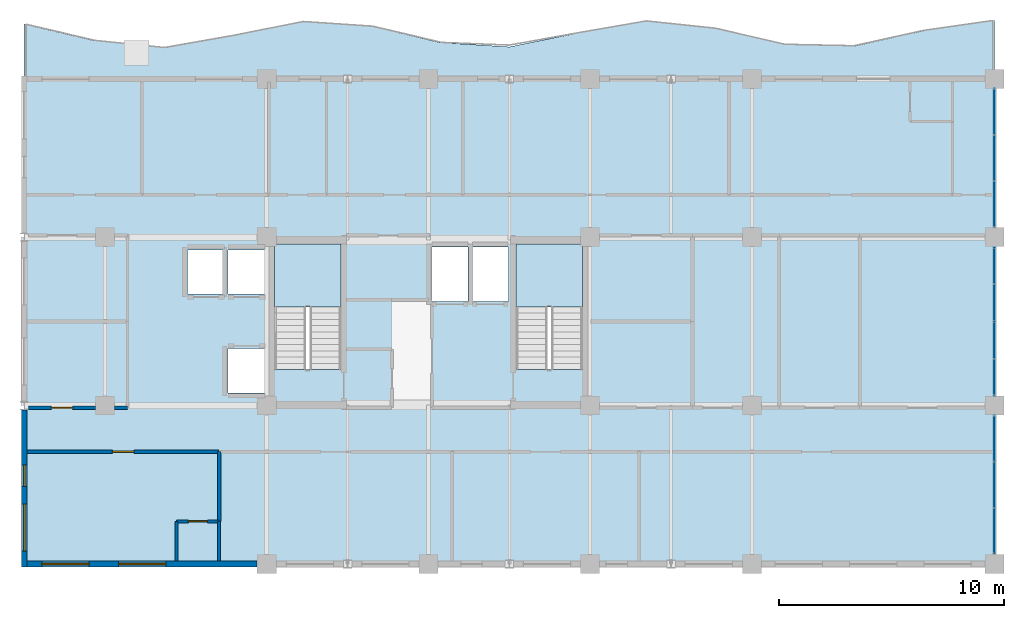
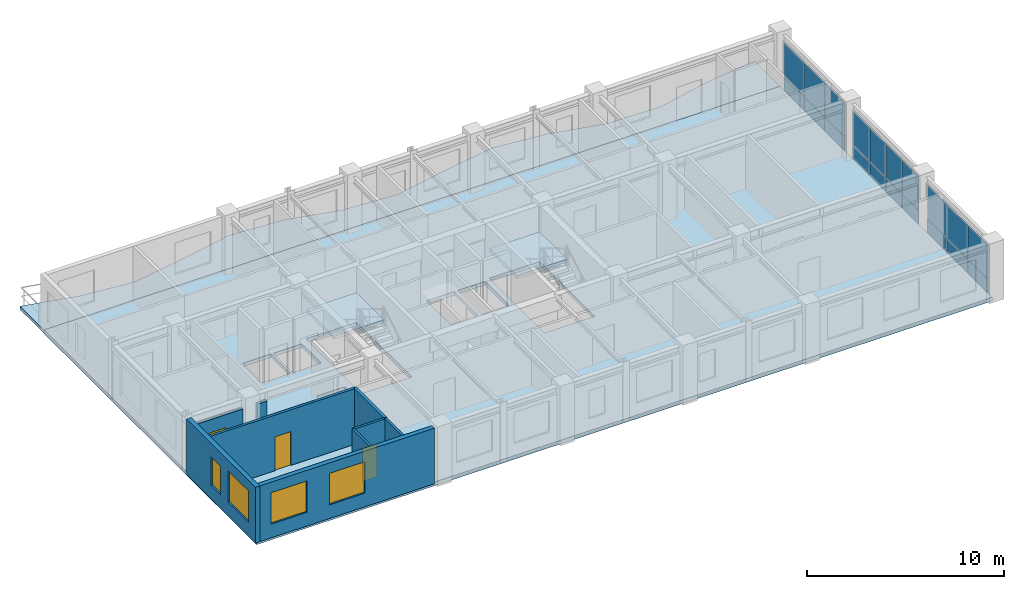
# One storey, part 5 of 11: 20 plates, 9 walls, 4 slabs, 4 windows, 3 doors, 7 openings, 5 elements without a shape of their own.
"""IFC4 building model written with IfcOpenShell, lengths in metres."""

from ifc_helpers import new_model, si_unit, direction, frame, frame_2d, origin, origin_2d, place, context, subcontext, project, spatial, polyline, rectangle, outline, extrude, source, transform, mapped, material, layer, layer_set, type_object, element, fill, aggregate, save


model = new_model("IFC4")

# Units and contexts
model_context = context("Model", 3, precision=1e-05, world=origin(), true_north=direction((0.0, 1.0)))
body_context = subcontext(model_context, "Body", "Model", "MODEL_VIEW")
ifc_project = project(units=[si_unit("LENGTHUNIT", "METRE"), si_unit("AREAUNIT", "SQUARE_METRE"), si_unit("VOLUMEUNIT", "CUBIC_METRE"), si_unit("PLANEANGLEUNIT", "RADIAN"), si_unit("MASSUNIT", "GRAM", prefix="KILO")], contexts=[model_context])

# Site, building, storey
site_placement = place(None, origin())
site = spatial("IfcSite", under=ifc_project, at=site_placement, CompositionType="ELEMENT")
building_placement = place(site_placement, origin())
building = spatial("IfcBuilding", under=site, at=building_placement, Name="Kaliganga Portal Commons", CompositionType="ELEMENT")
storey_placement = place(building_placement, frame((0.0, 0.0, 261.0)))
storey = spatial("IfcBuildingStorey", under=building, at=storey_placement, Name="L67", CompositionType="ELEMENT", Elevation=261.0)

# Slab
ifc_material_1 = material(Name="Concrete C40/50", Category="concrete")
ifc_layer_1 = layer(ifc_material_1, 0.2099609375)
ifc_layer_set_1 = layer_set([ifc_layer_1], Name="Concrete C40/50")
slab_type_1 = type_object("IfcSlabType", Name="SLB-BALC-210", PredefinedType="FLOOR", material=ifc_layer_set_1)
slab_1_placement = place(storey_placement, frame((0.0, 0.0, -0.2099609375)))
element("IfcSlab", 1, at=slab_1_placement, inside=storey, type_object=slab_type_1, Name="Scalloped Tree-Planter Balcony Slab L67 balc_north", PredefinedType="FLOOR", context=body_context, shape_type="SweptSolid", body=[
    extrude(outline(polyline([(46.800048828125, 43.199951171875), (46.800048828125, 45.800048828125), (43.71435546875, 45.3583984375), (40.628662109375, 44.673828125), (37.54296875, 44.739501953125), (34.45703125, 45.460205078125), (31.371337890625, 45.790283203125), (28.28564453125, 45.2509765625), (25.199951171875, 44.624755859375), (22.1142578125, 44.81982421875), (19.028564453125, 45.553466796875), (15.94287109375, 45.76123046875), (12.857177734375, 45.141845703125), (9.771484375, 44.59375), (6.685791015625, 44.912109375), (3.60009765625, 45.635009765625), (3.60009765625, 43.199951171875), (46.800048828125, 43.199951171875)])), origin(), (0.0, 0.0, 1.0), 0.2099609375),
])

# Stair, slab
stair_type = type_object("IfcStairType", Name="ST-CORE-DOGLEG", PredefinedType="HALF_TURN_STAIR", material=ifc_material_1)
stair_1_placement = place(storey_placement, origin())
stair_1 = element("IfcStair", 2, at=stair_1_placement, inside=storey, type_object=stair_type, Name="L67 Protected Exit Stair ST-A1", PredefinedType="HALF_TURN_STAIR")
ifc_layer_2 = layer(ifc_material_1, 0.199951171875)
ifc_layer_set_2 = layer_set([ifc_layer_2], Name="Concrete C40/50")
slab_type_2 = type_object("IfcSlabType", Name="SLB-STAIR-LND", PredefinedType="LANDING", material=ifc_layer_set_2)
slab_2_placement = place(storey_placement, frame((0.0, 0.0, 1.64990234375)))
slab_2 = element("IfcSlab", 3, at=slab_2_placement, type_object=slab_type_2, Name="ST-A1 landing 1", PredefinedType="LANDING", context=body_context, shape_type="SweptSolid", body=[
    extrude(outline(polyline([(17.699951171875, 33.050048828125), (17.699951171875, 35.85009765625), (14.75, 35.85009765625), (14.75, 33.050048828125), (17.699951171875, 33.050048828125)])), origin(), (0.0, 0.0, 1.0), 0.2001953125),
])
aggregate(stair_1, [slab_2])

stair_2_placement = place(storey_placement, origin())
stair_2 = element("IfcStair", 4, at=stair_2_placement, inside=storey, type_object=stair_type, Name="L67 Protected Exit Stair ST-A2", PredefinedType="HALF_TURN_STAIR")
slab_3_placement = place(storey_placement, frame((0.0, 0.0, 1.64990234375)))
slab_3 = element("IfcSlab", 5, at=slab_3_placement, type_object=slab_type_2, Name="ST-A2 landing 1", PredefinedType="LANDING", context=body_context, shape_type="SweptSolid", body=[
    extrude(outline(polyline([(28.449951171875, 33.050048828125), (28.449951171875, 35.85009765625), (25.5, 35.85009765625), (25.5, 33.050048828125), (28.449951171875, 33.050048828125)])), origin(), (0.0, 0.0, 1.0), 0.2001953125),
])
aggregate(stair_2, [slab_3])

# Slab
ifc_layer_3 = layer(ifc_material_1, 0.22509765625)
ifc_layer_set_3 = layer_set([ifc_layer_3], Name="Concrete C40/50")
slab_type_3 = type_object("IfcSlabType", Name="SLB-TWR-220", PredefinedType="FLOOR", material=ifc_layer_set_3)
slab_4_placement = place(storey_placement, frame((0.0, 0.0, -0.22509765625)))
element("IfcSlab", 6, at=slab_4_placement, inside=storey, type_object=slab_type_3, Name="Structural Floor Slab L67", PredefinedType="FLOOR", context=body_context, shape_type="SweptSolid", body=[
    extrude(outline(polyline([(3.60009765625, 21.60009765625), (46.800048828125, 21.60009765625), (46.800048828125, 43.199951171875), (3.60009765625, 43.199951171875), (3.60009765625, 21.60009765625)]), holes=[polyline([(14.75, 30.25390625), (14.75, 35.85009765625), (17.699951171875, 35.85009765625), (17.699951171875, 30.25390625), (14.75, 30.25390625)]), polyline([(25.5, 30.25390625), (25.5, 35.85009765625), (28.449951171875, 35.85009765625), (28.449951171875, 30.25390625), (25.5, 30.25390625)]), polyline([(12.6650390625, 33.614990234375), (12.6650390625, 35.5849609375), (14.3349609375, 35.5849609375), (14.3349609375, 33.614990234375), (12.6650390625, 33.614990234375)]), polyline([(12.6650390625, 29.215087890625), (12.6650390625, 31.18505859375), (14.3349609375, 31.18505859375), (14.3349609375, 29.215087890625), (12.6650390625, 29.215087890625)]), polyline([(10.864990234375, 33.614990234375), (10.864990234375, 35.5849609375), (12.534912109375, 35.5849609375), (12.534912109375, 33.614990234375), (10.864990234375, 33.614990234375)]), polyline([(21.739990234375, 33.2900390625), (21.739990234375, 35.7099609375), (23.360107421875, 35.7099609375), (23.360107421875, 33.2900390625), (21.739990234375, 33.2900390625)]), polyline([(23.5400390625, 33.2900390625), (23.5400390625, 35.7099609375), (25.159912109375, 35.7099609375), (25.159912109375, 33.2900390625), (23.5400390625, 33.2900390625)])]), origin(), (0.0, 0.0, 1.0), 0.22509765625),
])

# Curtain wall, plates
ifc_material_2 = material(Name="Anodized Aluminium and Laminated Low-E Glass", Category="aluminium")
ifc_layer_4 = layer(ifc_material_2, 0.18994140625)
ifc_layer_set_4 = layer_set([ifc_layer_4], Name="Anodized Aluminium and Laminated Low-E Glass")
curtain_wall_type = type_object("IfcCurtainWallType", Name="CW-SYS-05", PredefinedType="NOTDEFINED", material=ifc_layer_set_4)
curtain_wall_1_placement = place(storey_placement, origin())
curtain_wall_1 = element("IfcCurtainWall", 7, at=curtain_wall_1_placement, inside=storey, type_object=curtain_wall_type, Name="CW 05 L67 P1E01S1", PredefinedType="NOTDEFINED")
ifc_material_3 = material(Name="Insulated Dark Spandrel Panel", Category="metal")
ifc_layer_5 = layer(ifc_material_3, 0.044921875)
ifc_layer_set_5 = layer_set([ifc_layer_5], Name="Insulated Dark Spandrel Panel")
plate_type_1 = type_object("IfcPlateType", Name="PLT-SPN-45", PredefinedType="SHEET", material=ifc_layer_set_5)
shared_shape_1 = source(origin(), body_context, "Body", "SweptSolid", [
    extrude(rectangle(XDim=2.02587890625, YDim=0.044921875, at=origin_2d()), origin(), (0.0, 0.0, 1.0), 0.841064453125),
])
plate_1_placement = place(storey_placement, frame((46.800048828125, 23.05908203125, 0.009765625), z_axis=(0.0, 0.0, 1.0), x_axis=(0.0, 1.0, 0.0)))
plate_1 = element("IfcPlate", 8, at=plate_1_placement, type_object=plate_type_1, Name="CW:05:L67:P1E01S1 Spandrel 00", PredefinedType="SHEET", context=body_context, shape_type="MappedRepresentation", body=[
    mapped(shared_shape_1, transform((0.0, 0.0, 0.0), x_axis=(1.0, 0.0, 0.0), y_axis=(0.0, 1.0, 0.0), z_axis=(0.0, 0.0, 1.0), scale=1.0)),
])
plate_2_placement = place(storey_placement, frame((46.800048828125, 25.125, 0.009765625), z_axis=(0.0, 0.0, 1.0), x_axis=(0.0, 1.0, 0.0)))
plate_2 = element("IfcPlate", 9, at=plate_2_placement, type_object=plate_type_1, Name="CW:05:L67:P1E01S1 Spandrel 01", PredefinedType="SHEET", context=body_context, shape_type="MappedRepresentation", body=[
    mapped(shared_shape_1, transform((0.0, 0.0, 0.0), x_axis=(1.0, 0.0, 0.0), y_axis=(0.0, 1.0, 0.0), z_axis=(0.0, 0.0, 1.0), scale=1.0)),
])
plate_3_placement = place(storey_placement, frame((46.800048828125, 27.19091796875, 0.009765625), z_axis=(0.0, 0.0, 1.0), x_axis=(0.0, 1.0, 0.0)))
plate_3 = element("IfcPlate", 10, at=plate_3_placement, type_object=plate_type_1, Name="CW:05:L67:P1E01S1 Spandrel 02", PredefinedType="SHEET", context=body_context, shape_type="MappedRepresentation", body=[
    mapped(shared_shape_1, transform((0.0, 0.0, 0.0), x_axis=(1.0, 0.0, 0.0), y_axis=(0.0, 1.0, 0.0), z_axis=(0.0, 0.0, 1.0), scale=1.0)),
])

curtain_wall_2_placement = place(storey_placement, origin())
curtain_wall_2 = element("IfcCurtainWall", 11, at=curtain_wall_2_placement, inside=storey, type_object=curtain_wall_type, Name="CW 05 L67 P1E01S3", PredefinedType="NOTDEFINED")
plate_4_placement = place(storey_placement, frame((46.800048828125, 37.60888671875, 0.009765625), z_axis=(0.0, 0.0, 1.0), x_axis=(0.0, 1.0, 0.0)))
plate_4 = element("IfcPlate", 12, at=plate_4_placement, type_object=plate_type_1, Name="CW:05:L67:P1E01S3 Spandrel 00", PredefinedType="SHEET", context=body_context, shape_type="MappedRepresentation", body=[
    mapped(shared_shape_1, transform((0.0, 0.0, 0.0), x_axis=(1.0, 0.0, 0.0), y_axis=(0.0, 1.0, 0.0), z_axis=(0.0, 0.0, 1.0), scale=1.0)),
])
plate_5_placement = place(storey_placement, frame((46.800048828125, 39.675048828125, 0.009765625), z_axis=(0.0, 0.0, 1.0), x_axis=(0.0, 1.0, 0.0)))
plate_5 = element("IfcPlate", 13, at=plate_5_placement, type_object=plate_type_1, Name="CW:05:L67:P1E01S3 Spandrel 01", PredefinedType="SHEET", context=body_context, shape_type="MappedRepresentation", body=[
    mapped(shared_shape_1, transform((0.0, 0.0, 0.0), x_axis=(1.0, 0.0, 0.0), y_axis=(0.0, 1.0, 0.0), z_axis=(0.0, 0.0, 1.0), scale=1.0)),
])
plate_6_placement = place(storey_placement, frame((46.800048828125, 41.740966796875, 0.009765625), z_axis=(0.0, 0.0, 1.0), x_axis=(0.0, 1.0, 0.0)))
plate_6 = element("IfcPlate", 14, at=plate_6_placement, type_object=plate_type_1, Name="CW:05:L67:P1E01S3 Spandrel 02", PredefinedType="SHEET", context=body_context, shape_type="MappedRepresentation", body=[
    mapped(shared_shape_1, transform((0.0, 0.0, 0.0), x_axis=(1.0, 0.0, 0.0), y_axis=(0.0, 1.0, 0.0), z_axis=(0.0, 0.0, 1.0), scale=1.0)),
])

# Plate
ifc_material_4 = material(Name="Dark Solar-Control Laminated Low-E IGU", Category="glass")
ifc_layer_6 = layer(ifc_material_4, 0.028076171875)
ifc_layer_set_6 = layer_set([ifc_layer_6], Name="Dark Solar-Control Laminated Low-E IGU")
plate_type_2 = type_object("IfcPlateType", Name="PLT-GLZ-28", PredefinedType="CURTAIN_PANEL", material=ifc_layer_set_6)
shared_shape_2 = source(origin(), body_context, "Body", "SweptSolid", [
    extrude(rectangle(XDim=2.02587890625, YDim=0.028076171875, at=origin_2d()), origin(), (0.0, 0.0, 1.0), 2.114013671875),
])
plate_7_placement = place(storey_placement, frame((46.800048828125, 23.05908203125, 0.87109375), z_axis=(0.0, 0.0, 1.0), x_axis=(0.0, 1.0, 0.0)))
plate_7 = element("IfcPlate", 15, at=plate_7_placement, type_object=plate_type_2, Name="CW:05:L67:P1E01S1 Vision IGU 00", PredefinedType="CURTAIN_PANEL", context=body_context, shape_type="MappedRepresentation", body=[
    mapped(shared_shape_2, transform((0.0, 0.0, 0.0), x_axis=(1.0, 0.0, 0.0), y_axis=(0.0, 1.0, 0.0), z_axis=(0.0, 0.0, 1.0), scale=1.0)),
])

plate_8_placement = place(storey_placement, frame((46.800048828125, 25.125, 0.87109375), z_axis=(0.0, 0.0, 1.0), x_axis=(0.0, 1.0, 0.0)))
plate_8 = element("IfcPlate", 16, at=plate_8_placement, type_object=plate_type_2, Name="CW:05:L67:P1E01S1 Vision IGU 01", PredefinedType="CURTAIN_PANEL", context=body_context, shape_type="MappedRepresentation", body=[
    mapped(shared_shape_2, transform((0.0, 0.0, 0.0), x_axis=(1.0, 0.0, 0.0), y_axis=(0.0, 1.0, 0.0), z_axis=(0.0, 0.0, 1.0), scale=1.0)),
])

plate_9_placement = place(storey_placement, frame((46.800048828125, 27.19091796875, 0.87109375), z_axis=(0.0, 0.0, 1.0), x_axis=(0.0, 1.0, 0.0)))
plate_9 = element("IfcPlate", 17, at=plate_9_placement, type_object=plate_type_2, Name="CW:05:L67:P1E01S1 Vision IGU 02", PredefinedType="CURTAIN_PANEL", context=body_context, shape_type="MappedRepresentation", body=[
    mapped(shared_shape_2, transform((0.0, 0.0, 0.0), x_axis=(1.0, 0.0, 0.0), y_axis=(0.0, 1.0, 0.0), z_axis=(0.0, 0.0, 1.0), scale=1.0)),
])

aggregate(curtain_wall_1, [plate_1, plate_7, plate_2, plate_8, plate_3, plate_9])

plate_10_placement = place(storey_placement, frame((46.800048828125, 37.60888671875, 0.87109375), z_axis=(0.0, 0.0, 1.0), x_axis=(0.0, 1.0, 0.0)))
plate_10 = element("IfcPlate", 18, at=plate_10_placement, type_object=plate_type_2, Name="CW:05:L67:P1E01S3 Vision IGU 00", PredefinedType="CURTAIN_PANEL", context=body_context, shape_type="MappedRepresentation", body=[
    mapped(shared_shape_2, transform((0.0, 0.0, 0.0), x_axis=(1.0, 0.0, 0.0), y_axis=(0.0, 1.0, 0.0), z_axis=(0.0, 0.0, 1.0), scale=1.0)),
])

plate_11_placement = place(storey_placement, frame((46.800048828125, 39.675048828125, 0.87109375), z_axis=(0.0, 0.0, 1.0), x_axis=(0.0, 1.0, 0.0)))
plate_11 = element("IfcPlate", 19, at=plate_11_placement, type_object=plate_type_2, Name="CW:05:L67:P1E01S3 Vision IGU 01", PredefinedType="CURTAIN_PANEL", context=body_context, shape_type="MappedRepresentation", body=[
    mapped(shared_shape_2, transform((0.0, 0.0, 0.0), x_axis=(1.0, 0.0, 0.0), y_axis=(0.0, 1.0, 0.0), z_axis=(0.0, 0.0, 1.0), scale=1.0)),
])

plate_12_placement = place(storey_placement, frame((46.800048828125, 41.740966796875, 0.87109375), z_axis=(0.0, 0.0, 1.0), x_axis=(0.0, 1.0, 0.0)))
plate_12 = element("IfcPlate", 20, at=plate_12_placement, type_object=plate_type_2, Name="CW:05:L67:P1E01S3 Vision IGU 02", PredefinedType="CURTAIN_PANEL", context=body_context, shape_type="MappedRepresentation", body=[
    mapped(shared_shape_2, transform((0.0, 0.0, 0.0), x_axis=(1.0, 0.0, 0.0), y_axis=(0.0, 1.0, 0.0), z_axis=(0.0, 0.0, 1.0), scale=1.0)),
])

aggregate(curtain_wall_2, [plate_4, plate_10, plate_5, plate_11, plate_6, plate_12])

# Curtain wall, plates
curtain_wall_3_placement = place(storey_placement, origin())
curtain_wall_3 = element("IfcCurtainWall", 21, at=curtain_wall_3_placement, inside=storey, type_object=curtain_wall_type, Name="CW 05 L67 P1E01S2", PredefinedType="NOTDEFINED")
shared_shape_3 = source(origin(), body_context, "Body", "SweptSolid", [
    extrude(rectangle(XDim=1.6220703125, YDim=0.044921875, at=origin_2d()), origin(), (0.0, 0.0, 1.0), 0.841064453125),
])
plate_13_placement = place(storey_placement, frame((46.800048828125, 29.906982421875, 0.009765625), z_axis=(0.0, 0.0, 1.0), x_axis=(0.0, 1.0, 0.0)))
plate_13 = element("IfcPlate", 22, at=plate_13_placement, type_object=plate_type_1, Name="CW:05:L67:P1E01S2 Spandrel 00", PredefinedType="SHEET", context=body_context, shape_type="MappedRepresentation", body=[
    mapped(shared_shape_3, transform((0.0, 0.0, 0.0), x_axis=(1.0, 0.0, 0.0), y_axis=(0.0, 1.0, 0.0), z_axis=(0.0, 0.0, 1.0), scale=1.0)),
])
plate_14_placement = place(storey_placement, frame((46.800048828125, 31.569091796875, 0.009765625), z_axis=(0.0, 0.0, 1.0), x_axis=(0.0, 1.0, 0.0)))
plate_14 = element("IfcPlate", 23, at=plate_14_placement, type_object=plate_type_1, Name="CW:05:L67:P1E01S2 Spandrel 01", PredefinedType="SHEET", context=body_context, shape_type="MappedRepresentation", body=[
    mapped(shared_shape_3, transform((0.0, 0.0, 0.0), x_axis=(1.0, 0.0, 0.0), y_axis=(0.0, 1.0, 0.0), z_axis=(0.0, 0.0, 1.0), scale=1.0)),
])
plate_15_placement = place(storey_placement, frame((46.800048828125, 33.23095703125, 0.009765625), z_axis=(0.0, 0.0, 1.0), x_axis=(0.0, 1.0, 0.0)))
plate_15 = element("IfcPlate", 24, at=plate_15_placement, type_object=plate_type_1, Name="CW:05:L67:P1E01S2 Spandrel 02", PredefinedType="SHEET", context=body_context, shape_type="MappedRepresentation", body=[
    mapped(shared_shape_3, transform((0.0, 0.0, 0.0), x_axis=(1.0, 0.0, 0.0), y_axis=(0.0, 1.0, 0.0), z_axis=(0.0, 0.0, 1.0), scale=1.0)),
])
plate_16_placement = place(storey_placement, frame((46.800048828125, 34.89306640625, 0.009765625), z_axis=(0.0, 0.0, 1.0), x_axis=(0.0, 1.0, 0.0)))
plate_16 = element("IfcPlate", 25, at=plate_16_placement, type_object=plate_type_1, Name="CW:05:L67:P1E01S2 Spandrel 03", PredefinedType="SHEET", context=body_context, shape_type="MappedRepresentation", body=[
    mapped(shared_shape_3, transform((0.0, 0.0, 0.0), x_axis=(1.0, 0.0, 0.0), y_axis=(0.0, 1.0, 0.0), z_axis=(0.0, 0.0, 1.0), scale=1.0)),
])
shared_shape_4 = source(origin(), body_context, "Body", "SweptSolid", [
    extrude(rectangle(XDim=1.6220703125, YDim=0.028076171875, at=origin_2d()), origin(), (0.0, 0.0, 1.0), 2.114013671875),
])
plate_17_placement = place(storey_placement, frame((46.800048828125, 29.906982421875, 0.87109375), z_axis=(0.0, 0.0, 1.0), x_axis=(0.0, 1.0, 0.0)))
plate_17 = element("IfcPlate", 26, at=plate_17_placement, type_object=plate_type_2, Name="CW:05:L67:P1E01S2 Vision IGU 00", PredefinedType="CURTAIN_PANEL", context=body_context, shape_type="MappedRepresentation", body=[
    mapped(shared_shape_4, transform((0.0, 0.0, 0.0), x_axis=(1.0, 0.0, 0.0), y_axis=(0.0, 1.0, 0.0), z_axis=(0.0, 0.0, 1.0), scale=1.0)),
])
plate_18_placement = place(storey_placement, frame((46.800048828125, 31.569091796875, 0.87109375), z_axis=(0.0, 0.0, 1.0), x_axis=(0.0, 1.0, 0.0)))
plate_18 = element("IfcPlate", 27, at=plate_18_placement, type_object=plate_type_2, Name="CW:05:L67:P1E01S2 Vision IGU 01", PredefinedType="CURTAIN_PANEL", context=body_context, shape_type="MappedRepresentation", body=[
    mapped(shared_shape_4, transform((0.0, 0.0, 0.0), x_axis=(1.0, 0.0, 0.0), y_axis=(0.0, 1.0, 0.0), z_axis=(0.0, 0.0, 1.0), scale=1.0)),
])
plate_19_placement = place(storey_placement, frame((46.800048828125, 33.23095703125, 0.87109375), z_axis=(0.0, 0.0, 1.0), x_axis=(0.0, 1.0, 0.0)))
plate_19 = element("IfcPlate", 28, at=plate_19_placement, type_object=plate_type_2, Name="CW:05:L67:P1E01S2 Vision IGU 02", PredefinedType="CURTAIN_PANEL", context=body_context, shape_type="MappedRepresentation", body=[
    mapped(shared_shape_4, transform((0.0, 0.0, 0.0), x_axis=(1.0, 0.0, 0.0), y_axis=(0.0, 1.0, 0.0), z_axis=(0.0, 0.0, 1.0), scale=1.0)),
])
plate_20_placement = place(storey_placement, frame((46.800048828125, 34.89306640625, 0.87109375), z_axis=(0.0, 0.0, 1.0), x_axis=(0.0, 1.0, 0.0)))
plate_20 = element("IfcPlate", 29, at=plate_20_placement, type_object=plate_type_2, Name="CW:05:L67:P1E01S2 Vision IGU 03", PredefinedType="CURTAIN_PANEL", context=body_context, shape_type="MappedRepresentation", body=[
    mapped(shared_shape_4, transform((0.0, 0.0, 0.0), x_axis=(1.0, 0.0, 0.0), y_axis=(0.0, 1.0, 0.0), z_axis=(0.0, 0.0, 1.0), scale=1.0)),
])
aggregate(curtain_wall_3, [plate_13, plate_17, plate_14, plate_18, plate_15, plate_19, plate_16, plate_20])

# Wall, openings, windows
ifc_material_5 = material(Name="Insulated Aluminium-Clad Spandrel Assembly", Category="aluminium")
ifc_layer_7 = layer(ifc_material_5, 0.260009765625)
ifc_layer_set_7 = layer_set([ifc_layer_7], Name="Insulated Aluminium-Clad Spandrel Assembly")
wall_type_1 = type_object("IfcWallType", Name="WL-EXT-SPAND-260", PredefinedType="STANDARD", material=ifc_layer_set_7)
wall_1_placement = place(storey_placement, frame((13.97412109375, 21.60009765625, 0.0), z_axis=(0.0, 0.0, 1.0), x_axis=(-1.0, 0.0, 0.0)))
wall_1 = element("IfcWall", 30, at=wall_1_placement, inside=storey, type_object=wall_type_1, Name="Exterior Envelope Wall L67 P1-E00-S1", PredefinedType="STANDARD", context=body_context, shape_type="SweptSolid", body=[
    extrude(rectangle(XDim=10.239013671875, YDim=0.260009765625, at=frame_2d((5.11962890625, 0.0))), origin(), (0.0, 0.0, 1.0), 3.455078125),
])
opening_1_placement = place(wall_1_placement, frame((4.069580078125, 0.0, 0.85009765625)))
opening_1 = element("IfcOpeningElement", 31, at=opening_1_placement, cuts=wall_1, Name="Opening W-06", PredefinedType="OPENING", context=body_context, shape_type="SweptSolid", body=[
    extrude(rectangle(XDim=2.10009765625, YDim=1.949951171875, at=frame_2d((1.050048828125, 0.97509765625))), frame((0.0, 0.14013671875, 0.0), z_axis=(0.0, -1.0, 0.0), x_axis=(1.0, 0.0, 0.0)), (0.0, 0.0, 1.0), 0.280029296875),
])
opening_2_placement = place(wall_1_placement, frame((7.482421875, 0.0, 0.85009765625)))
opening_2 = element("IfcOpeningElement", 32, at=opening_2_placement, cuts=wall_1, Name="Opening W-06", PredefinedType="OPENING", context=body_context, shape_type="SweptSolid", body=[
    extrude(rectangle(XDim=2.10009765625, YDim=1.949951171875, at=frame_2d((1.050048828125, 0.97509765625))), frame((0.0, 0.14013671875, 0.0), z_axis=(0.0, -1.0, 0.0), x_axis=(1.0, 0.0, 0.0)), (0.0, 0.0, 1.0), 0.280029296875),
])
ifc_material_6 = material(Name="Thermally Broken Aluminium and Low-E Double Glazing", Category="aluminium")
window_type_1 = type_object("IfcWindowType", Name="WIN-PAN-2100", PartitioningType="DOUBLE_PANEL_VERTICAL", PredefinedType="WINDOW", material=ifc_material_6)
window_1_placement = place(opening_1_placement, origin())
window_1 = element("IfcWindow", 33, at=window_1_placement, inside=storey, type_object=window_type_1, Name="Facade Window L67-P1E00S1-01", OverallHeight=1.949951171875, OverallWidth=2.10009765625, PartitioningType="SINGLE_PANEL", PredefinedType="WINDOW", context=body_context, shape_type="SweptSolid", body=[
    extrude(rectangle(XDim=2.10009765625, YDim=1.949951171875, at=frame_2d((1.050048828125, 0.97509765625))), frame((0.0, 0.030029296875, 0.0), z_axis=(0.0, -1.0, 0.0), x_axis=(1.0, 0.0, 0.0)), (0.0, 0.0, 1.0), 0.06005859375),
])
fill(opening_1, window_1)
window_2_placement = place(opening_2_placement, origin())
window_2 = element("IfcWindow", 34, at=window_2_placement, inside=storey, type_object=window_type_1, Name="Facade Window L67-P1E00S1-02", OverallHeight=1.949951171875, OverallWidth=2.10009765625, PartitioningType="SINGLE_PANEL", PredefinedType="WINDOW", context=body_context, shape_type="SweptSolid", body=[
    extrude(rectangle(XDim=2.10009765625, YDim=1.949951171875, at=frame_2d((1.050048828125, 0.97509765625))), frame((0.0, 0.030029296875, 0.0), z_axis=(0.0, -1.0, 0.0), x_axis=(1.0, 0.0, 0.0)), (0.0, 0.0, 1.0), 0.06005859375),
])
fill(opening_2, window_2)

wall_2_placement = place(storey_placement, frame((3.60009765625, 21.469970703125, 0.0), z_axis=(0.0, 0.0, 1.0), x_axis=(0.0, 1.0, 0.0)))
wall_2 = element("IfcWall", 35, at=wall_2_placement, inside=storey, type_object=wall_type_1, Name="Exterior Envelope Wall L67 P1-E03-S3", PredefinedType="STANDARD", context=body_context, shape_type="SweptSolid", body=[
    extrude(rectangle(XDim=6.992919921875, YDim=0.260009765625, at=frame_2d((3.49658203125, 0.0))), origin(), (0.0, 0.0, 1.0), 3.455078125),
])
opening_3_placement = place(wall_2_placement, frame((0.6982421875, 0.0, 0.85009765625)))
opening_3 = element("IfcOpeningElement", 36, at=opening_3_placement, cuts=wall_2, Name="Opening W-06", PredefinedType="OPENING", context=body_context, shape_type="SweptSolid", body=[
    extrude(rectangle(XDim=2.10009765625, YDim=1.949951171875, at=frame_2d((1.050048828125, 0.97509765625))), frame((0.0, 0.14013671875, 0.0), z_axis=(0.0, -1.0, 0.0), x_axis=(1.0, 0.0, 0.0)), (0.0, 0.0, 1.0), 0.280029296875),
])
opening_4_placement = place(wall_2_placement, frame((3.580810546875, 0.0, 0.85009765625)))
opening_4 = element("IfcOpeningElement", 37, at=opening_4_placement, cuts=wall_2, Name="Opening W-04", PredefinedType="OPENING", context=body_context, shape_type="SweptSolid", body=[
    extrude(rectangle(XDim=0.949951171875, YDim=1.75, at=frame_2d((0.47509765625, 0.875))), frame((0.0, 0.14013671875, 0.0), z_axis=(0.0, -1.0, 0.0), x_axis=(1.0, 0.0, 0.0)), (0.0, 0.0, 1.0), 0.280029296875),
])
window_type_2 = type_object("IfcWindowType", Name="WIN-NARROW-950", PartitioningType="SINGLE_PANEL", PredefinedType="WINDOW", material=ifc_material_6)
window_3_placement = place(opening_4_placement, origin())
window_3 = element("IfcWindow", 38, at=window_3_placement, inside=storey, type_object=window_type_2, Name="Facade Window L67-P1E03S3-N6", OverallHeight=1.75, OverallWidth=0.949951171875, PartitioningType="SINGLE_PANEL", PredefinedType="WINDOW", context=body_context, shape_type="SweptSolid", body=[
    extrude(rectangle(XDim=0.949951171875, YDim=1.75, at=frame_2d((0.47509765625, 0.875))), frame((0.0, 0.030029296875, 0.0), z_axis=(0.0, -1.0, 0.0), x_axis=(1.0, 0.0, 0.0)), (0.0, 0.0, 1.0), 0.06005859375),
])
fill(opening_4, window_3)
window_4_placement = place(opening_3_placement, origin())
window_4 = element("IfcWindow", 39, at=window_4_placement, inside=storey, type_object=window_type_1, Name="Facade Window L67-P1E03S3-00", OverallHeight=1.949951171875, OverallWidth=2.10009765625, PartitioningType="SINGLE_PANEL", PredefinedType="WINDOW", context=body_context, shape_type="SweptSolid", body=[
    extrude(rectangle(XDim=2.10009765625, YDim=1.949951171875, at=frame_2d((1.050048828125, 0.97509765625))), frame((0.0, 0.030029296875, 0.0), z_axis=(0.0, -1.0, 0.0), x_axis=(1.0, 0.0, 0.0)), (0.0, 0.0, 1.0), 0.06005859375),
])
fill(opening_3, window_4)

# Wall, opening, door
ifc_material_7 = material(Name="Fire-Rated Gypsum Board on Steel Stud", Category="steel")
ifc_layer_8 = layer(ifc_material_7, 0.14990234375)
ifc_layer_set_8 = layer_set([ifc_layer_8], Name="Fire-Rated Gypsum Board on Steel Stud")
wall_type_2 = type_object("IfcWallType", Name="WL-PART-CORR-150", PredefinedType="PARTITIONING", material=ifc_layer_set_8)
wall_3_placement = place(storey_placement, frame((3.73193359375, 26.60009765625, 0.0), z_axis=(0.0, 0.0, 1.0), x_axis=(1.0, 0.0, 0.0)))
wall_3 = element("IfcWall", 40, at=wall_3_placement, inside=storey, type_object=wall_type_2, Name="Interior Partition L67-011", PredefinedType="PARTITIONING", context=body_context, shape_type="SweptSolid", body=[
    extrude(rectangle(XDim=8.548095703125, YDim=0.14990234375, at=frame_2d((4.27392578125, 0.0))), origin(), (0.0, 0.0, 1.0), 3.455078125),
])
opening_5_placement = place(wall_3_placement, frame((3.799072265625, 0.0, 0.0)))
opening_5 = element("IfcOpeningElement", 41, at=opening_5_placement, cuts=wall_3, Name="Opening UD-01", PredefinedType="OPENING", context=body_context, shape_type="SweptSolid", body=[
    extrude(rectangle(XDim=0.949951171875, YDim=2.10009765625, at=frame_2d((0.47509765625, 1.050048828125))), frame((0.0, 0.0849609375, 0.0), z_axis=(0.0, -1.0, 0.0), x_axis=(1.0, 0.0, 0.0)), (0.0, 0.0, 1.0), 0.169921875),
])
ifc_material_8 = material(Name="Solid-Core Timber Acoustic Fire Door", Category="wood")
door_type_1 = type_object("IfcDoorType", Name="DR-UNIT-950", OperationType="NOTDEFINED", PredefinedType="DOOR", material=ifc_material_8)
door_1_placement = place(opening_5_placement, origin())
door_1 = element("IfcDoor", 42, at=door_1_placement, inside=storey, type_object=door_type_1, Name="Interior Door L67-AS01", OperationType="SINGLE_SWING_RIGHT", OverallHeight=2.10009765625, OverallWidth=0.949951171875, PredefinedType="DOOR", context=body_context, shape_type="SweptSolid", body=[
    extrude(rectangle(XDim=0.949951171875, YDim=2.10009765625, at=frame_2d((0.47509765625, 1.050048828125))), frame((0.0, 0.02490234375, 0.0), z_axis=(0.0, -1.0, 0.0), x_axis=(1.0, 0.0, 0.0)), (0.0, 0.0, 1.0), 0.050048828125),
])
fill(opening_5, door_1)

wall_4_placement = place(storey_placement, frame((3.787109375, 28.56005859375, 0.0), z_axis=(0.0, 0.0, 1.0), x_axis=(1.0, 0.0, 0.0)))
wall_4 = element("IfcWall", 43, at=wall_4_placement, inside=storey, type_object=wall_type_2, Name="Interior Partition L67-018", PredefinedType="PARTITIONING", context=body_context, shape_type="SweptSolid", body=[
    extrude(rectangle(XDim=2.98779296875, YDim=0.14990234375, at=frame_2d((1.493896484375, 0.0))), origin(), (0.0, 0.0, 1.0), 2.905029296875),
])
opening_6_placement = place(wall_4_placement, frame((1.01904296875, 0.0, 0.0)))
opening_6 = element("IfcOpeningElement", 44, at=opening_6_placement, cuts=wall_4, Name="Opening UD-01", PredefinedType="OPENING", context=body_context, shape_type="SweptSolid", body=[
    extrude(rectangle(XDim=0.949951171875, YDim=2.10009765625, at=frame_2d((0.47509765625, 1.050048828125))), frame((0.0, 0.0849609375, 0.0), z_axis=(0.0, -1.0, 0.0), x_axis=(1.0, 0.0, 0.0)), (0.0, 0.0, 1.0), 0.169921875),
])
door_2_placement = place(opening_6_placement, origin())
door_2 = element("IfcDoor", 45, at=door_2_placement, inside=storey, type_object=door_type_1, Name="Interior Door L67-AW01", OperationType="SINGLE_SWING_RIGHT", OverallHeight=2.10009765625, OverallWidth=0.949951171875, PredefinedType="DOOR", context=body_context, shape_type="SweptSolid", body=[
    extrude(rectangle(XDim=0.949951171875, YDim=2.10009765625, at=frame_2d((0.47509765625, 1.050048828125))), frame((0.0, 0.02490234375, 0.0), z_axis=(0.0, -1.0, 0.0), x_axis=(1.0, 0.0, 0.0)), (0.0, 0.0, 1.0), 0.050048828125),
])
fill(opening_6, door_2)

# Walls
wall_5_placement = place(storey_placement, frame((7.625, 28.56005859375, 0.0), z_axis=(0.0, 0.0, 1.0), x_axis=(1.0, 0.0, 0.0)))
element("IfcWall", 46, at=wall_5_placement, inside=storey, type_object=wall_type_2, Name="Interior Partition L67-019", PredefinedType="PARTITIONING", context=body_context, shape_type="SweptSolid", body=[
    extrude(rectangle(XDim=0.574951171875, YDim=0.14990234375, at=frame_2d((0.28759765625, 0.0))), origin(), (0.0, 0.0, 1.0), 2.905029296875),
])
ifc_material_9 = material(Name="Twin-Stud Acoustic Gypsum Partition", Category="gypsum")
ifc_layer_9 = layer(ifc_material_9, 0.1650390625)
ifc_layer_set_9 = layer_set([ifc_layer_9], Name="Twin-Stud Acoustic Gypsum Partition")
wall_type_3 = type_object("IfcWallType", Name="WL-PART-UNIT-165", PredefinedType="PARTITIONING", material=ifc_layer_set_9)
wall_6_placement = place(storey_placement, frame((12.280029296875, 23.5, 0.0), z_axis=(0.0, 0.0, 1.0), x_axis=(0.0, 1.0, 0.0)))
element("IfcWall", 47, at=wall_6_placement, inside=storey, type_object=wall_type_3, Name="Interior Partition L67-056", PredefinedType="PARTITIONING", context=body_context, shape_type="SweptSolid", body=[
    extrude(rectangle(XDim=3.10009765625, YDim=0.1650390625, at=frame_2d((1.550048828125, 0.0))), origin(), (0.0, 0.0, 1.0), 3.455078125),
])

# Wall, opening, door
ifc_material_10 = material(Name="Cement-Board Wet-Room Partition", Category="gypsum")
ifc_layer_10 = layer(ifc_material_10, 0.135009765625)
ifc_layer_set_10 = layer_set([ifc_layer_10], Name="Cement-Board Wet-Room Partition")
wall_type_4 = type_object("IfcWallType", Name="WL-PART-WET-135", PredefinedType="PARTITIONING", material=ifc_layer_set_10)
wall_7_placement = place(storey_placement, frame((10.3798828125, 23.5, 0.0), z_axis=(0.0, 0.0, 1.0), x_axis=(1.0, 0.0, 0.0)))
wall_7 = element("IfcWall", 48, at=wall_7_placement, inside=storey, type_object=wall_type_4, Name="Interior Partition L67-003", PredefinedType="PARTITIONING", context=body_context, shape_type="SweptSolid", body=[
    extrude(rectangle(XDim=1.900146484375, YDim=0.135009765625, at=frame_2d((0.9501953125, 0.0))), origin(), (0.0, 0.0, 1.0), 3.455078125),
])
opening_7_placement = place(wall_7_placement, frame((0.52490234375, 0.0, 0.0)))
opening_7 = element("IfcOpeningElement", 49, at=opening_7_placement, cuts=wall_7, Name="Opening WD-01", PredefinedType="OPENING", context=body_context, shape_type="SweptSolid", body=[
    extrude(rectangle(XDim=0.85009765625, YDim=2.0400390625, at=frame_2d((0.425048828125, 1.02001953125))), frame((0.0, 0.07763671875, 0.0), z_axis=(0.0, -1.0, 0.0), x_axis=(1.0, 0.0, 0.0)), (0.0, 0.0, 1.0), 0.155029296875),
])
ifc_material_11 = material(Name="Moisture-Resistant Laminate Timber Door", Category="wood")
door_type_2 = type_object("IfcDoorType", Name="DR-WET-850", OperationType="NOTDEFINED", PredefinedType="DOOR", material=ifc_material_11)
door_3_placement = place(opening_7_placement, origin())
door_3 = element("IfcDoor", 50, at=door_3_placement, inside=storey, type_object=door_type_2, Name="Interior Door L67-AS01E", OperationType="SINGLE_SWING_LEFT", OverallHeight=2.0400390625, OverallWidth=0.85009765625, PredefinedType="DOOR", context=body_context, shape_type="SweptSolid", body=[
    extrude(rectangle(XDim=0.85009765625, YDim=2.0400390625, at=frame_2d((0.425048828125, 1.02001953125))), frame((0.0, 0.02490234375, 0.0), z_axis=(0.0, -1.0, 0.0), x_axis=(1.0, 0.0, 0.0)), (0.0, 0.0, 1.0), 0.050048828125),
])
fill(opening_7, door_3)

# Walls
for number, where, z_axis, x_axis, name in (
    (51, (10.3798828125, 21.73193359375, 0.0), (0.0, 0.0, 1.0), (0.0, 1.0, 0.0), "Interior Partition L67-005"),
    (52, (12.280029296875, 21.73193359375, 0.0), (0.0, 0.0, 1.0), (0.0, 1.0, 0.0), "Interior Partition L67-006"),
):
    element("IfcWall", number, at=place(storey_placement, frame(where, z_axis=z_axis, x_axis=x_axis)), inside=storey, type_object=wall_type_4, Name=name, PredefinedType="PARTITIONING", context=body_context, shape_type="SweptSolid", body=[
        extrude(rectangle(XDim=1.76806640625, YDim=0.135009765625, at=frame_2d((0.884033203125, 0.0))), origin(), (0.0, 0.0, 1.0), 3.455078125),
    ])

save(model, "model.ifc")
